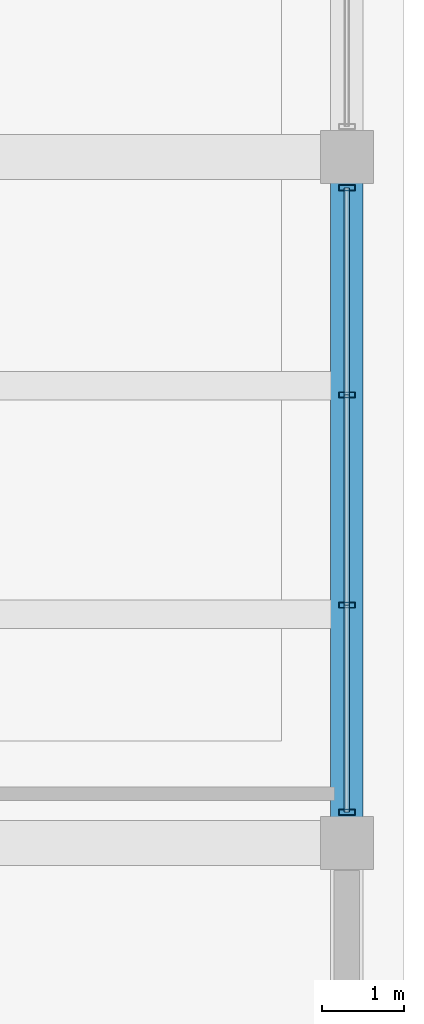
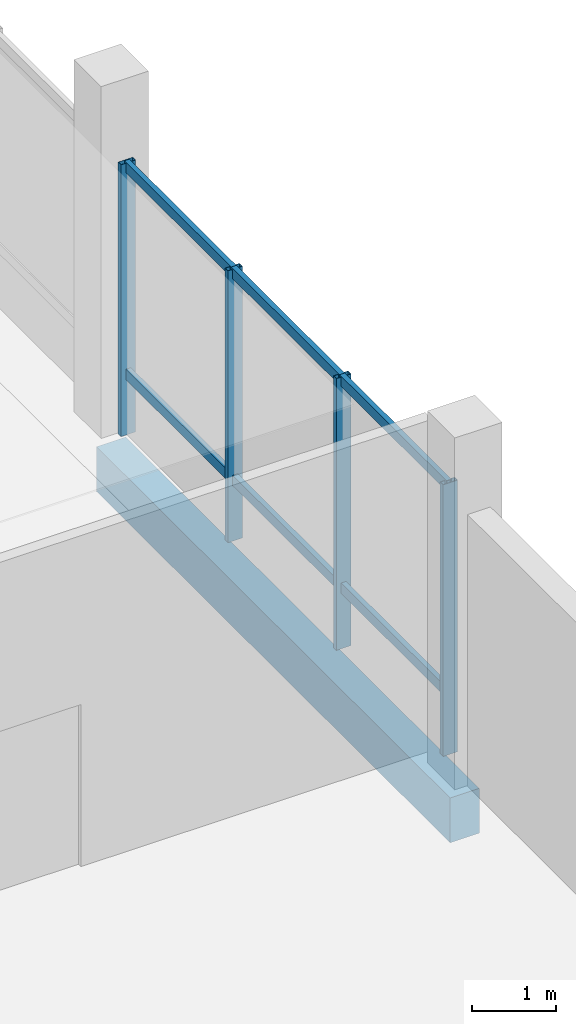
# One storey, part 48 of 73: 10 members, 1 beam, 1 element without a shape of its own.
"""IFC4 building model written with IfcOpenShell, lengths in metres."""

from ifc_helpers import new_model, si_unit, direction, frame, origin, origin_2d, place, context, subcontext, project, spatial, rectangle, hollow_rectangle, extrude, material, layer, layer_set, material_profile, profile_set, type_object, element, aggregate, save


model = new_model("IFC4")

# Units and contexts
model_context = context("Model", 3, precision=1e-05, world=origin(), true_north=direction((0.0, 1.0)))
body_context = subcontext(model_context, "Body", "Model", "MODEL_VIEW")
ifc_project = project(units=[si_unit("LENGTHUNIT", "METRE"), si_unit("AREAUNIT", "SQUARE_METRE"), si_unit("VOLUMEUNIT", "CUBIC_METRE"), si_unit("PLANEANGLEUNIT", "RADIAN"), si_unit("MASSUNIT", "GRAM", prefix="KILO")], contexts=[model_context])

# Site, building, storey
site_placement = place(None, origin())
site = spatial("IfcSite", under=ifc_project, at=site_placement, CompositionType="ELEMENT")
building_placement = place(site_placement, origin())
building = spatial("IfcBuilding", under=site, at=building_placement, Name="Meriwether Solvik Hall", CompositionType="ELEMENT")
storey_placement = place(building_placement, origin())
storey = spatial("IfcBuildingStorey", under=building, at=storey_placement, Name="L00", CompositionType="ELEMENT", Elevation=0.0)

# Beam
ifc_material_1 = material(Name="Concrete C40/50", Category="concrete")
ifc_material_profile_1 = material_profile(ifc_material_1, rectangle(XDim=0.39990234375, YDim=0.64990234375, at=origin_2d()), Name="RCB-400X650")
ifc_profile_set_1 = profile_set([ifc_material_profile_1], Name="Concrete C40/50")
beam_type = type_object("IfcBeamType", Name="BM-RC-400X650", PredefinedType="SPANDREL", material=ifc_profile_set_1)
beam_placement = place(storey_placement, frame((166.800048828125, 92.800048828125, -0.68505859375), z_axis=(0.0, 1.0, 0.0), x_axis=(-1.0, 0.0, 0.0)))
element("IfcBeam", 1, at=beam_placement, inside=storey, type_object=beam_type, Name="Podium Girder 19:K-L (L00)", PredefinedType="SPANDREL", context=body_context, shape_type="SweptSolid", body=[
    extrude(rectangle(XDim=0.39990234375, YDim=0.64990234375, at=origin_2d()), origin(), (0.0, 0.0, 1.0), 8.39990234375),
])

# Curtain wall, members
ifc_material_2 = material(Name="Thermally Broken Anodised Aluminium 6063-T6 and Low-E Glass", Category="aluminium")
ifc_layer = layer(ifc_material_2, 0.179931640625)
ifc_layer_set = layer_set([ifc_layer], Name="Thermally Broken Anodised Aluminium 6063-T6 and Low-E Glass")
curtain_wall_type = type_object("IfcCurtainWallType", Name="CW-SF-POD-A", PredefinedType="USERDEFINED", material=ifc_layer_set)
curtain_wall_placement = place(storey_placement, origin())
curtain_wall = element("IfcCurtainWall", 2, at=curtain_wall_placement, inside=storey, type_object=curtain_wall_type, Name="Curtain Wall wing_Y19_11_69 (L00)", ObjectType="STICK STOREFRONT GLAZING", PredefinedType="USERDEFINED")
ifc_material_3 = material(Name="Anodised Aluminium 6063-T6", Category="aluminium")
ifc_material_profile_2 = material_profile(ifc_material_3, hollow_rectangle(XDim=0.070068359375, YDim=0.199951171875, WallThickness=0.0048828125, at=origin_2d()), Name="CWM-70X200")
ifc_profile_set_2 = profile_set([ifc_material_profile_2], Name="Anodised Aluminium 6063-T6")
member_type_1 = type_object("IfcMemberType", Name="CW-MUL-70X200", PredefinedType="MULLION", material=ifc_profile_set_2)
member_1_placement = place(storey_placement, frame((166.800048828125, 100.824951171875, 0.0), z_axis=(0.0, 0.0, 1.0), x_axis=(0.0, -1.0, 0.0)))
member_1 = element("IfcMember", 3, at=member_1_placement, type_object=member_type_1, Name="Curtain Wall Mullion 1", PredefinedType="MULLION", context=body_context, shape_type="SweptSolid", body=[
    extrude(hollow_rectangle(XDim=0.070068359375, YDim=0.199951171875, WallThickness=0.0048828125, at=origin_2d()), origin(), (0.0, 0.0, 1.0), 3.93994140625),
])
member_2_placement = place(storey_placement, frame((166.800048828125, 98.28759765625, 0.0), z_axis=(0.0, 0.0, 1.0), x_axis=(0.0, -1.0, 0.0)))
member_2 = element("IfcMember", 4, at=member_2_placement, type_object=member_type_1, Name="Curtain Wall Mullion 2", PredefinedType="MULLION", context=body_context, shape_type="SweptSolid", body=[
    extrude(hollow_rectangle(XDim=0.070068359375, YDim=0.199951171875, WallThickness=0.0048828125, at=origin_2d()), origin(), (0.0, 0.0, 1.0), 3.93994140625),
])
member_3_placement = place(storey_placement, frame((166.800048828125, 95.71240234375, 0.0), z_axis=(0.0, 0.0, 1.0), x_axis=(0.0, -1.0, 0.0)))
member_3 = element("IfcMember", 5, at=member_3_placement, type_object=member_type_1, Name="Curtain Wall Mullion 3", PredefinedType="MULLION", context=body_context, shape_type="SweptSolid", body=[
    extrude(hollow_rectangle(XDim=0.070068359375, YDim=0.199951171875, WallThickness=0.0048828125, at=origin_2d()), origin(), (0.0, 0.0, 1.0), 3.93994140625),
])
member_4_placement = place(storey_placement, frame((166.800048828125, 93.175048828125, 0.0), z_axis=(0.0, 0.0, 1.0), x_axis=(0.0, -1.0, 0.0)))
member_4 = element("IfcMember", 6, at=member_4_placement, type_object=member_type_1, Name="Curtain Wall Mullion 4", PredefinedType="MULLION", context=body_context, shape_type="SweptSolid", body=[
    extrude(hollow_rectangle(XDim=0.070068359375, YDim=0.199951171875, WallThickness=0.0048828125, at=origin_2d()), origin(), (0.0, 0.0, 1.0), 3.93994140625),
])
ifc_material_4 = material(Name="Anodised Aluminium 6063-T6", Category="aluminium")
ifc_material_profile_3 = material_profile(ifc_material_4, hollow_rectangle(XDim=0.070068359375, YDim=0.14990234375, WallThickness=0.0048828125, at=origin_2d()), Name="CWT-70X150")
ifc_profile_set_3 = profile_set([ifc_material_profile_3], Name="Anodised Aluminium 6063-T6")
member_type_2 = type_object("IfcMemberType", Name="CW-TRN-70X150", PredefinedType="USERDEFINED", material=ifc_profile_set_3)
member_5_placement = place(storey_placement, frame((166.800048828125, 100.824951171875, 0.8798828125), z_axis=(0.0, -1.0, 0.0), x_axis=(1.0, 0.0, 0.0)))
member_5 = element("IfcMember", 7, at=member_5_placement, type_object=member_type_2, Name="Curtain Wall Transom 1-sill", ObjectType="TRANSOM", PredefinedType="USERDEFINED", context=body_context, shape_type="SweptSolid", body=[
    extrude(hollow_rectangle(XDim=0.070068359375, YDim=0.14990234375, WallThickness=0.0048828125, at=origin_2d()), origin(), (0.0, 0.0, 1.0), 2.537353515625),
])
member_6_placement = place(storey_placement, frame((166.800048828125, 100.824951171875, 3.8798828125), z_axis=(0.0, -1.0, 0.0), x_axis=(1.0, 0.0, 0.0)))
member_6 = element("IfcMember", 8, at=member_6_placement, type_object=member_type_2, Name="Curtain Wall Transom 1-head", ObjectType="TRANSOM", PredefinedType="USERDEFINED", context=body_context, shape_type="SweptSolid", body=[
    extrude(hollow_rectangle(XDim=0.070068359375, YDim=0.14990234375, WallThickness=0.0048828125, at=origin_2d()), origin(), (0.0, 0.0, 1.0), 2.537353515625),
])
member_7_placement = place(storey_placement, frame((166.800048828125, 98.28759765625, 0.8798828125), z_axis=(0.0, -1.0, 0.0), x_axis=(1.0, 0.0, 0.0)))
member_7 = element("IfcMember", 9, at=member_7_placement, type_object=member_type_2, Name="Curtain Wall Transom 2-sill", ObjectType="TRANSOM", PredefinedType="USERDEFINED", context=body_context, shape_type="SweptSolid", body=[
    extrude(hollow_rectangle(XDim=0.070068359375, YDim=0.14990234375, WallThickness=0.0048828125, at=origin_2d()), origin(), (0.0, 0.0, 1.0), 2.5751953125),
])
member_8_placement = place(storey_placement, frame((166.800048828125, 98.28759765625, 3.8798828125), z_axis=(0.0, -1.0, 0.0), x_axis=(1.0, 0.0, 0.0)))
member_8 = element("IfcMember", 10, at=member_8_placement, type_object=member_type_2, Name="Curtain Wall Transom 2-head", ObjectType="TRANSOM", PredefinedType="USERDEFINED", context=body_context, shape_type="SweptSolid", body=[
    extrude(hollow_rectangle(XDim=0.070068359375, YDim=0.14990234375, WallThickness=0.0048828125, at=origin_2d()), origin(), (0.0, 0.0, 1.0), 2.5751953125),
])
member_9_placement = place(storey_placement, frame((166.800048828125, 95.71240234375, 0.8798828125), z_axis=(0.0, -1.0, 0.0), x_axis=(1.0, 0.0, 0.0)))
member_9 = element("IfcMember", 11, at=member_9_placement, type_object=member_type_2, Name="Curtain Wall Transom 3-sill", ObjectType="TRANSOM", PredefinedType="USERDEFINED", context=body_context, shape_type="SweptSolid", body=[
    extrude(hollow_rectangle(XDim=0.070068359375, YDim=0.14990234375, WallThickness=0.0048828125, at=origin_2d()), origin(), (0.0, 0.0, 1.0), 2.537353515625),
])
member_10_placement = place(storey_placement, frame((166.800048828125, 95.71240234375, 3.8798828125), z_axis=(0.0, -1.0, 0.0), x_axis=(1.0, 0.0, 0.0)))
member_10 = element("IfcMember", 12, at=member_10_placement, type_object=member_type_2, Name="Curtain Wall Transom 3-head", ObjectType="TRANSOM", PredefinedType="USERDEFINED", context=body_context, shape_type="SweptSolid", body=[
    extrude(hollow_rectangle(XDim=0.070068359375, YDim=0.14990234375, WallThickness=0.0048828125, at=origin_2d()), origin(), (0.0, 0.0, 1.0), 2.537353515625),
])
aggregate(curtain_wall, [member_1, member_2, member_3, member_4, member_5, member_6, member_7, member_8, member_9, member_10])

save(model, "model.ifc")
